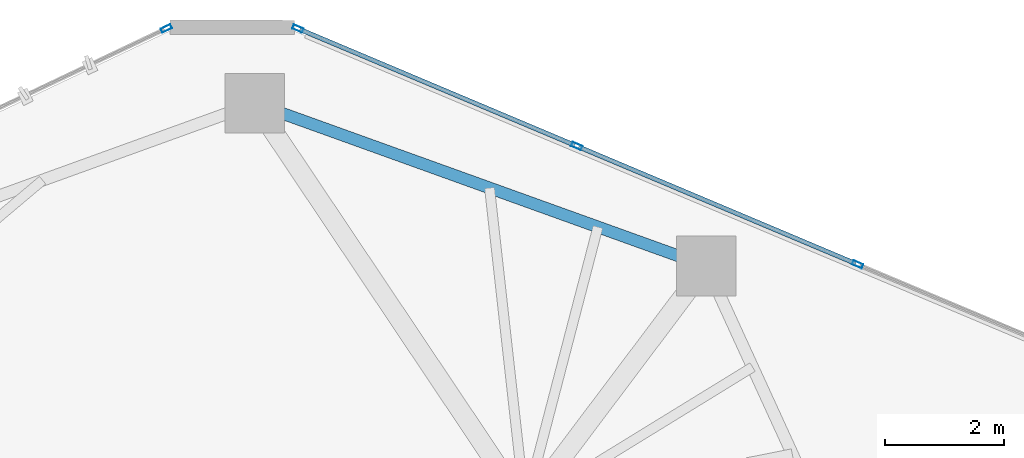
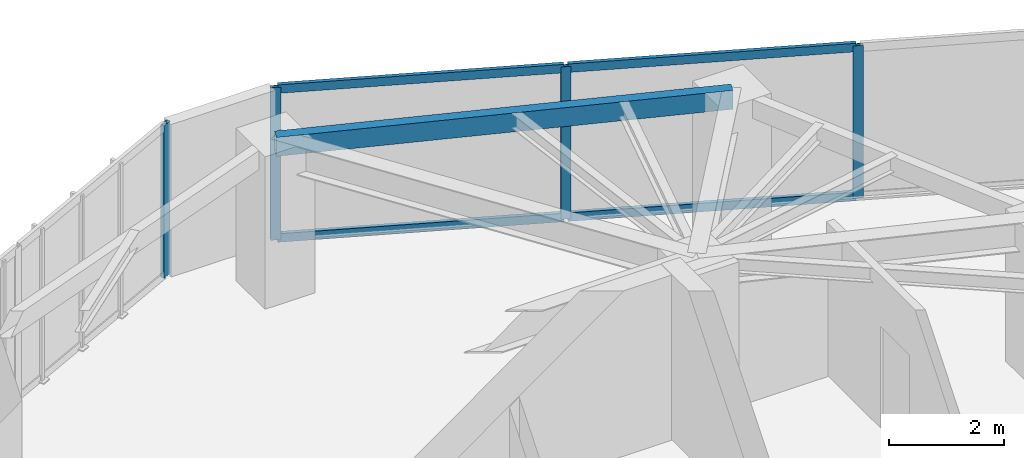
# One storey, part 13 of 18: 8 members, 1 beam, 2 elements without a shape of their own.
"""IFC4 building model written with IfcOpenShell, lengths in metres."""

from ifc_helpers import new_model, si_unit, direction, frame, origin, origin_2d, place, context, subcontext, project, spatial, hollow_rectangle, extrude, source, transform, mapped, material, layer, layer_set, material_profile, profile_set, type_object, type_shapes, element, aggregate, save


model = new_model("IFC4")

# Units and contexts
model_context = context("Model", 3, precision=1e-05, world=origin(), true_north=direction((0.0, 1.0)))
body_context = subcontext(model_context, "Body", "Model", "MODEL_VIEW")
ifc_project = project(units=[si_unit("LENGTHUNIT", "METRE"), si_unit("AREAUNIT", "SQUARE_METRE"), si_unit("VOLUMEUNIT", "CUBIC_METRE"), si_unit("PLANEANGLEUNIT", "RADIAN"), si_unit("MASSUNIT", "GRAM", prefix="KILO")], contexts=[model_context])

# Site, building, storey
site_placement = place(None, origin())
site = spatial("IfcSite", under=ifc_project, at=site_placement, CompositionType="ELEMENT")
building_placement = place(site_placement, origin())
building = spatial("IfcBuilding", under=site, at=building_placement, Name="Talar Marvaseh", CompositionType="ELEMENT")
storey_placement = place(building_placement, frame((0.0, 0.0, 167.0)))
storey = spatial("IfcBuildingStorey", under=building, at=storey_placement, Name="L43", CompositionType="ELEMENT", Elevation=167.0)

# Beam
ifc_material_1 = material(Name="Steel S355", Category="steel")
ifc_material_profile_1 = material_profile(ifc_material_1, hollow_rectangle(XDim=0.199951171875, YDim=0.39990234375, WallThickness=0.013916015625, at=origin_2d()), Name="RHS400x200x14")
ifc_profile_set_1 = profile_set([ifc_material_profile_1], Name="Steel S355")
beam_type = type_object("IfcBeamType", Name="Zone 3 Perimeter Spandrel Beam RHS400x200x14", PredefinedType="SPANDREL", material=ifc_profile_set_1)
beam_placement = place(storey_placement, frame((28.76611328125, 43.66796875, 3.030029296875), z_axis=(0.940923359576, -0.3386195969, 0.0), x_axis=(0.3386195969, 0.940923359576, 0.0)))
element("IfcBeam", 1, at=beam_placement, inside=storey, type_object=beam_type, Name="L43 Zone 3 Perimeter Spandrel Beam RHS400x200x14", PredefinedType="SPANDREL", context=body_context, shape_type="SweptSolid", body=[
    extrude(hollow_rectangle(XDim=0.199951171875, YDim=0.39990234375, WallThickness=0.013916015625, at=origin_2d()), origin(), (0.0, 0.0, 1.0), 8.050537109375),
])

# Curtain wall, member
ifc_material_2 = material(Name="Architectural Aluminium", Category="aluminium")
ifc_layer = layer(ifc_material_2, 0.18994140625)
ifc_layer_set = layer_set([ifc_layer], Name="Architectural Aluminium")
curtain_wall_type = type_object("IfcCurtainWallType", Name="Unitised Solar Atelier Curtain Wall Z3", PredefinedType="NOTDEFINED", material=ifc_layer_set)
curtain_wall_1_placement = place(storey_placement, origin())
curtain_wall_1 = element("IfcCurtainWall", 2, at=curtain_wall_1_placement, inside=storey, type_object=curtain_wall_type, Name="L43 Unitised Solar Atelier Curtain Wall Z3", PredefinedType="NOTDEFINED")
ifc_material_profile_2 = material_profile(ifc_material_2, hollow_rectangle(XDim=0.074951171875, YDim=0.179931640625, WallThickness=0.0048828125, at=origin_2d()), Name="RHS180x75x5")
ifc_profile_set_2 = profile_set([ifc_material_profile_2], Name="Architectural Aluminium")
member_type_1 = type_object("IfcMemberType", Name="Unitised Curtain Wall Standard Mullion RHS180x75x5", PredefinedType="MULLION", material=ifc_profile_set_2)
shared_shape_1 = source(origin(), body_context, "Body", "SweptSolid", [
    extrude(hollow_rectangle(XDim=0.074951171875, YDim=0.179931640625, WallThickness=0.0048828125, at=origin_2d()), origin(), (0.0, 0.0, 1.0), 3.22998046875),
])
type_shapes(member_type_1, [shared_shape_1])
member_1_placement = place(storey_placement, frame((27.2841796875, 44.925537109375, 0.0), z_axis=(0.0, 0.0, 1.0), x_axis=(-0.429444477717, 0.903093262381, 0.0)))
member_1 = element("IfcMember", 3, at=member_1_placement, type_object=member_type_1, Name="CW-Z3 mullion 4", PredefinedType="MULLION", context=body_context, shape_type="MappedRepresentation", body=[
    mapped(shared_shape_1, transform((0.0, 0.0, 0.0), x_axis=(1.0, 0.0, 0.0), y_axis=(0.0, 1.0, 0.0), z_axis=(0.0, 0.0, 1.0), scale=1.0)),
])
aggregate(curtain_wall_1, [member_1])

# Curtain wall, members
curtain_wall_2_placement = place(storey_placement, origin())
curtain_wall_2 = element("IfcCurtainWall", 4, at=curtain_wall_2_placement, inside=storey, type_object=curtain_wall_type, Name="L43 Unitised Solar Atelier Curtain Wall Z3", PredefinedType="NOTDEFINED")
member_2_placement = place(storey_placement, frame((29.490234375, 44.923583984375, 0.0), z_axis=(0.0, 0.0, 1.0), x_axis=(0.388257801082, 0.921550801583, 0.0)))
member_2 = element("IfcMember", 5, at=member_2_placement, type_object=member_type_1, Name="CW-Z3 mullion 1", PredefinedType="MULLION", context=body_context, shape_type="MappedRepresentation", body=[
    mapped(shared_shape_1, transform((0.0, 0.0, 0.0), x_axis=(1.0, 0.0, 0.0), y_axis=(0.0, 1.0, 0.0), z_axis=(0.0, 0.0, 1.0), scale=1.0)),
])
member_3_placement = place(storey_placement, frame((34.16748046875, 42.953125, 0.0), z_axis=(0.0, 0.0, 1.0), x_axis=(0.388257801082, 0.921550801583, 0.0)))
member_3 = element("IfcMember", 6, at=member_3_placement, type_object=member_type_1, Name="CW-Z3 mullion 2", PredefinedType="MULLION", context=body_context, shape_type="MappedRepresentation", body=[
    mapped(shared_shape_1, transform((0.0, 0.0, 0.0), x_axis=(1.0, 0.0, 0.0), y_axis=(0.0, 1.0, 0.0), z_axis=(0.0, 0.0, 1.0), scale=1.0)),
])
member_4_placement = place(storey_placement, frame((38.87939453125, 40.9677734375, 0.0), z_axis=(0.0, 0.0, 1.0), x_axis=(0.388257801082, 0.921550801583, 0.0)))
member_4 = element("IfcMember", 7, at=member_4_placement, type_object=member_type_1, Name="CW-Z3 mullion 3", PredefinedType="MULLION", context=body_context, shape_type="MappedRepresentation", body=[
    mapped(shared_shape_1, transform((0.0, 0.0, 0.0), x_axis=(1.0, 0.0, 0.0), y_axis=(0.0, 1.0, 0.0), z_axis=(0.0, 0.0, 1.0), scale=1.0)),
])
ifc_material_profile_3 = material_profile(ifc_material_2, hollow_rectangle(XDim=0.074951171875, YDim=0.179931640625, WallThickness=0.0048828125, at=origin_2d()), Name="RHS180x75x5")
ifc_profile_set_3 = profile_set([ifc_material_profile_3], Name="Architectural Aluminium")
member_type_2 = type_object("IfcMemberType", Name="Unitised Curtain Wall Transom RHS180x75x5", PredefinedType="USERDEFINED", material=ifc_profile_set_3)
shared_shape_2 = source(origin(), body_context, "Body", "SweptSolid", [
    extrude(hollow_rectangle(XDim=0.074951171875, YDim=0.179931640625, WallThickness=0.0048828125, at=origin_2d()), origin(), (0.0, 0.0, 1.0), 5.0380859375),
])
member_5_placement = place(storey_placement, frame((34.2021484375, 42.9384765625, 0.03759765625), z_axis=(0.921551433397, -0.388256301434, 0.0), x_axis=(0.388256301434, 0.921551433397, 0.0)))
member_5 = element("IfcMember", 8, at=member_5_placement, type_object=member_type_2, Name="CW-Z3 transom 2.1", ObjectType="TRANSOM", PredefinedType="USERDEFINED", context=body_context, shape_type="MappedRepresentation", body=[
    mapped(shared_shape_2, transform((0.0, 0.0, 0.0), x_axis=(1.0, 0.0, 0.0), y_axis=(0.0, 1.0, 0.0), z_axis=(0.0, 0.0, 1.0), scale=1.0)),
])
member_6_placement = place(storey_placement, frame((34.2021484375, 42.9384765625, 3.1923828125), z_axis=(0.921551433397, -0.388256301434, 0.0), x_axis=(0.388256301434, 0.921551433397, 0.0)))
member_6 = element("IfcMember", 9, at=member_6_placement, type_object=member_type_2, Name="CW-Z3 transom 2.2", ObjectType="TRANSOM", PredefinedType="USERDEFINED", context=body_context, shape_type="MappedRepresentation", body=[
    mapped(shared_shape_2, transform((0.0, 0.0, 0.0), x_axis=(1.0, 0.0, 0.0), y_axis=(0.0, 1.0, 0.0), z_axis=(0.0, 0.0, 1.0), scale=1.0)),
])
shared_shape_3 = source(origin(), body_context, "Body", "SweptSolid", [
    extrude(hollow_rectangle(XDim=0.074951171875, YDim=0.179931640625, WallThickness=0.0048828125, at=origin_2d()), origin(), (0.0, 0.0, 1.0), 5.00048828125),
])
type_shapes(member_type_2, [shared_shape_2, shared_shape_3])
member_7_placement = place(storey_placement, frame((29.52490234375, 44.9091796875, 0.03759765625), z_axis=(0.921537009973, -0.388290534586, 0.0), x_axis=(0.388290534586, 0.921537009973, 0.0)))
member_7 = element("IfcMember", 10, at=member_7_placement, type_object=member_type_2, Name="CW-Z3 transom 1.1", ObjectType="TRANSOM", PredefinedType="USERDEFINED", context=body_context, shape_type="MappedRepresentation", body=[
    mapped(shared_shape_3, transform((0.0, 0.0, 0.0), x_axis=(1.0, 0.0, 0.0), y_axis=(0.0, 1.0, 0.0), z_axis=(0.0, 0.0, 1.0), scale=1.0)),
])
member_8_placement = place(storey_placement, frame((29.52490234375, 44.9091796875, 3.1923828125), z_axis=(0.921537009973, -0.388290534586, 0.0), x_axis=(0.388290534586, 0.921537009973, 0.0)))
member_8 = element("IfcMember", 11, at=member_8_placement, type_object=member_type_2, Name="CW-Z3 transom 1.2", ObjectType="TRANSOM", PredefinedType="USERDEFINED", context=body_context, shape_type="MappedRepresentation", body=[
    mapped(shared_shape_3, transform((0.0, 0.0, 0.0), x_axis=(1.0, 0.0, 0.0), y_axis=(0.0, 1.0, 0.0), z_axis=(0.0, 0.0, 1.0), scale=1.0)),
])
aggregate(curtain_wall_2, [member_2, member_3, member_4, member_7, member_8, member_5, member_6])

save(model, "model.ifc")
